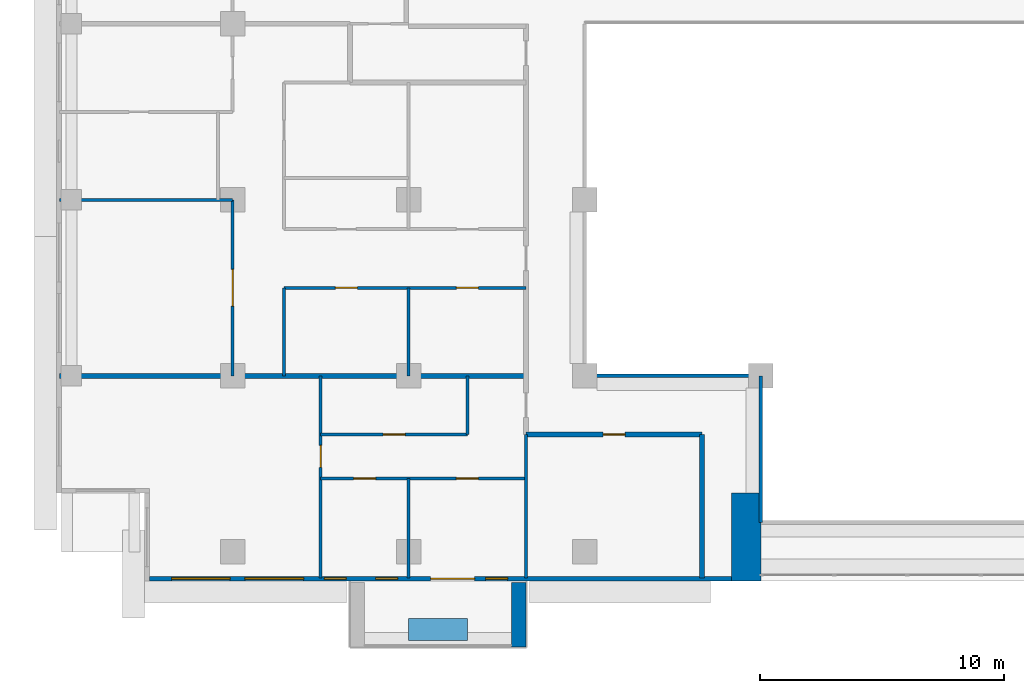
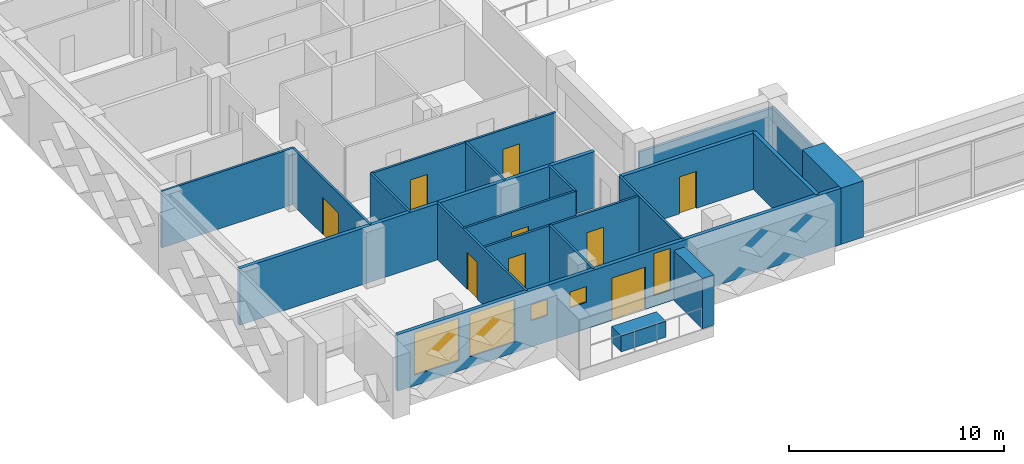
# One storey, part 6 of 20: 20 walls, 9 doors, 5 windows, 14 openings.
"""IFC4 building model written with IfcOpenShell, lengths in metres."""

import ifcopenshell
import ifcopenshell.guid

model = None  # the IFC model being written
_history = None  # IfcOwnerHistory: only IFC2X3 demands one
_inside = {}  # id of a spatial element -> (the spatial element, [elements in it])
_under = {}  # id of a project, library or spatial element -> (it, [spatial elements below it])
_declared = {}  # id of a project -> (the project, [libraries it declares])
_typed = {}  # id of a type object -> (the type object, [elements of that type])
_made_of = {}  # id of a material, layer set ... -> (it, [elements and type objects made of it])


def new_model(schema):
    """Start an empty IFC model of exactly this schema.

    Asked for "IFC4X3", IfcOpenShell would pick the latest addendum, in which some entities
    have other attributes; the version numbers below select the first issue.
    IFC2X3 requires an IfcOwnerHistory on every rooted entity: one is made here for all.
    """
    global model, _history
    if schema == "IFC4X3":
        model = ifcopenshell.file(schema_version=(4, 3, 0, 0))
    else:
        model = ifcopenshell.file(schema=schema)
    _inside.clear()
    _under.clear()
    _declared.clear()
    _typed.clear()
    _made_of.clear()
    _history = None
    if model.schema == "IFC2X3":
        org = make("IfcOrganization", Name="unknown")
        user = make(
            "IfcPersonAndOrganization",
            ThePerson=make("IfcPerson", FamilyName="unknown"),
            TheOrganization=org,
        )
        app = make(
            "IfcApplication",
            ApplicationDeveloper=org,
            Version="unknown",
            ApplicationFullName="unknown",
            ApplicationIdentifier="unknown",
        )
        _history = make(
            "IfcOwnerHistory",
            OwningUser=user,
            OwningApplication=app,
            ChangeAction="ADDED",
            CreationDate=0,
        )
    return model


def make(cls, **values):
    """One entity of the class cls with the attributes given. An attribute that is None is left unset."""
    return model.create_entity(
        cls, **{name: value for name, value in values.items() if value is not None}
    )


def rooted(cls, **values):
    """An entity with a GlobalId (a new one), such as an element, a storey or a relation."""
    return make(cls, GlobalId=ifcopenshell.guid.new(), OwnerHistory=_history, **values)


def si_unit(unit_type, name, prefix=None):
    """IfcSIUnit, for example si_unit("LENGTHUNIT", "METRE", prefix="MILLI")."""
    return make("IfcSIUnit", UnitType=unit_type, Prefix=prefix, Name=name)


def assignment(units):
    """IfcUnitAssignment: the units of a project."""
    return None if units is None else make("IfcUnitAssignment", Units=units)


def point(xyz):
    """IfcCartesianPoint."""
    return None if xyz is None else make("IfcCartesianPoint", Coordinates=xyz)


def direction(xyz):
    """IfcDirection."""
    return None if xyz is None else make("IfcDirection", DirectionRatios=xyz)


def frame(location, z_axis=None, x_axis=None):
    """IfcAxis2Placement3D, a coordinate frame: its origin and axes. An axis left out is left unset."""
    return make(
        "IfcAxis2Placement3D",
        Location=point(location),
        Axis=direction(z_axis),
        RefDirection=direction(x_axis),
    )


def frame_2d(location, x_axis=None):
    """IfcAxis2Placement2D, a coordinate frame in the plane: its origin and x axis."""
    return make(
        "IfcAxis2Placement2D", Location=point(location), RefDirection=direction(x_axis)
    )


def origin():
    """The frame at (0, 0, 0) with its axes left unset."""
    return frame((0.0, 0.0, 0.0))


def place(relative_to, where):
    """IfcLocalPlacement: puts the frame where relative to a parent placement (None: the world)."""
    return make(
        "IfcLocalPlacement", PlacementRelTo=relative_to, RelativePlacement=where
    )


def context(
    kind, dimensions, precision=None, world=None, true_north=None, identifier=None
):
    """IfcGeometricRepresentationContext, for example the 3D "Model" context."""
    return make(
        "IfcGeometricRepresentationContext",
        ContextIdentifier=identifier,
        ContextType=kind,
        CoordinateSpaceDimension=dimensions,
        Precision=precision,
        WorldCoordinateSystem=world,
        TrueNorth=true_north,
    )


def subcontext(parent, identifier, kind, view, scale=None):
    """IfcGeometricRepresentationSubContext, for example "Body" below "Model"."""
    return make(
        "IfcGeometricRepresentationSubContext",
        ContextIdentifier=identifier,
        ContextType=kind,
        ParentContext=parent,
        TargetScale=scale,
        TargetView=view,
    )


def project(units=None, contexts=None):
    """IfcProject with its units and contexts."""
    return rooted(
        "IfcProject",
        Name="project",
        RepresentationContexts=contexts,
        UnitsInContext=assignment(units),
    )


def spatial(cls, under=None, at=None, **own):
    """A site, building, storey or space (cls), placed at a placement, below another one or the project."""
    s = rooted(cls, ObjectPlacement=at, **own)
    if under is not None:
        _under.setdefault(under.id(), (under, []))[1].append(s)
    return s


def profile(cls, at=None, kind="AREA", **sizes):
    """A parametric profile (cls). Its sizes go by their IFC names, for example OverallWidth=200.0."""
    return make(cls, ProfileType=kind, Position=at, **sizes)


def rectangle(**sizes):
    """IfcRectangleProfileDef."""
    return profile("IfcRectangleProfileDef", **sizes)


def extrude(swept, where, along, depth):
    """IfcExtrudedAreaSolid: the profile swept, set in the frame where, extruded along a direction by depth."""
    return make(
        "IfcExtrudedAreaSolid",
        SweptArea=swept,
        Position=where,
        ExtrudedDirection=direction(along),
        Depth=depth,
    )


def shape(context_of_items, identifier, shape_type, items):
    """IfcShapeRepresentation: the items that make up one representation, for example the "Body"."""
    return make(
        "IfcShapeRepresentation",
        ContextOfItems=context_of_items,
        RepresentationIdentifier=identifier,
        RepresentationType=shape_type,
        Items=items,
    )


def material(Name=None, Category=None):
    """IfcMaterial."""
    return make("IfcMaterial", Name=Name, Category=Category)


def layer(
    of_material, thickness, ventilated=None, Name=None, Category=None, Priority=None
):
    """IfcMaterialLayer: one layer of a wall or slab, of a material (None: an air gap)."""
    return make(
        "IfcMaterialLayer",
        Material=of_material,
        LayerThickness=thickness,
        IsVentilated=ventilated,
        Name=Name,
        Category=Category,
        Priority=Priority,
    )


def layer_set(layers, Name=None):
    """IfcMaterialLayerSet."""
    return make("IfcMaterialLayerSet", MaterialLayers=layers, LayerSetName=Name)


def made_of(thing, what):
    """Note that an element or type object is made of a material, layer set ...; save() writes the relation."""
    if what is not None:
        _made_of.setdefault(what.id(), (what, []))[1].append(thing)
    return thing


def type_object(cls, material=None, **own):
    """A type object (cls), such as IfcWallType, which elements share."""
    return made_of(rooted(cls, **own), material)


def element(
    cls,
    number,
    at=None,
    inside=None,
    cuts=None,
    type_object=None,
    material=None,
    context=None,
    identifier="Body",
    shape_type=None,
    held_by="IfcProductDefinitionShape",
    body=None,
    shapes=None,
    **own,
):
    """One element of the class cls, such as IfcWall. Its Tag is "e" and its number.

    at: its placement. inside: the storey or other place that contains it. cuts: it is an
    opening in that element (IfcRelVoidsElement). A single representation is given by context,
    identifier, shape_type and body (its items); several are given by shapes. held_by: the class
    of the entity that holds the representations. save() writes the other relations.
    """
    e = rooted(cls, Tag="e%d" % number, ObjectPlacement=at, **own)
    if body is not None:
        shapes = [shape(context, identifier, shape_type, body)]
    if shapes is not None:
        e.Representation = make(held_by, Representations=shapes)
    if inside is not None:
        _inside.setdefault(inside.id(), (inside, []))[1].append(e)
    if cuts is not None:
        rooted(
            "IfcRelVoidsElement", RelatingBuildingElement=cuts, RelatedOpeningElement=e
        )
    if type_object is not None:
        _typed.setdefault(type_object.id(), (type_object, []))[1].append(e)
    return made_of(e, material)


def fill(opening, filler):
    """IfcRelFillsElement: the door or window that sits in an opening."""
    return rooted(
        "IfcRelFillsElement",
        RelatingOpeningElement=opening,
        RelatedBuildingElement=filler,
    )


def aggregate(whole, parts):
    """IfcRelAggregates: a whole, such as a stair, and the parts it consists of."""
    return rooted("IfcRelAggregates", RelatingObject=whole, RelatedObjects=parts)


def save(model, path):
    """Write the relations noted so far, then the file.

    IfcRelAggregates (storeys below a building ...), IfcRelContainedInSpatialStructure (elements
    in a storey), IfcRelDefinesByType, IfcRelAssociatesMaterial and IfcRelDeclares: one each for
    every whole, place, type object, material and project.
    """
    for whole, parts in _under.values():
        aggregate(whole, parts)
    for where, things in _inside.values():
        rooted(
            "IfcRelContainedInSpatialStructure",
            RelatedElements=things,
            RelatingStructure=where,
        )
    for kind, things in _typed.values():
        rooted("IfcRelDefinesByType", RelatedObjects=things, RelatingType=kind)
    for what, things in _made_of.values():
        rooted("IfcRelAssociatesMaterial", RelatedObjects=things, RelatingMaterial=what)
    for by, libraries in _declared.values():
        rooted("IfcRelDeclares", RelatingContext=by, RelatedDefinitions=libraries)
    model.write(path)


model = new_model("IFC4")

# Units and contexts
model_context = context("Model", 3, precision=1e-05, world=origin(), true_north=direction((0.0, 1.0)))
body_context = subcontext(model_context, "Body", "Model", "MODEL_VIEW")
ifc_project = project(units=[si_unit("LENGTHUNIT", "METRE"), si_unit("AREAUNIT", "SQUARE_METRE"), si_unit("VOLUMEUNIT", "CUBIC_METRE"), si_unit("PLANEANGLEUNIT", "RADIAN"), si_unit("MASSUNIT", "GRAM", prefix="KILO")], contexts=[model_context])

# Site, building, storey
site_placement = place(None, origin())
site = spatial("IfcSite", under=ifc_project, at=site_placement, CompositionType="ELEMENT")
building_placement = place(site_placement, origin())
building = spatial("IfcBuilding", under=site, at=building_placement, Name="Saffron Iwan Residences", CompositionType="ELEMENT")
storey_placement = place(building_placement, frame((0.0, 0.0, 146.5)))
storey = spatial("IfcBuildingStorey", under=building, at=storey_placement, Name="L38", CompositionType="ELEMENT", Elevation=146.5)

# Walls
ifc_material_1 = material(Name="Fire-rated glazing", Category="glass")
ifc_layer_1 = layer(ifc_material_1, 0.14990234375)
ifc_layer_set_1 = layer_set([ifc_layer_1], Name="Fire-rated glazing")
wall_type_1 = type_object("IfcWallType", Name="Atrium glazed screen 150", PredefinedType="SOLIDWALL", material=ifc_layer_set_1)
wall_1_placement = place(storey_placement, frame((36.0, 48.0, 0.0), z_axis=(0.0, 0.0, 1.0), x_axis=(1.0, 0.0, 0.0)))
element("IfcWall", 1, at=wall_1_placement, inside=storey, type_object=wall_type_1, Name="W-L38-SCREEN-h48-36", PredefinedType="SOLIDWALL", context=body_context, shape_type="SweptSolid", body=[
    extrude(rectangle(XDim=7.199951171875, YDim=0.14990234375, at=frame_2d((3.60009765625, 0.0))), origin(), (0.0, 0.0, 1.0), 2.300048828125),
])
wall_2_placement = place(storey_placement, frame((43.199951171875, 42.0, 0.0), z_axis=(0.0, 0.0, 1.0), x_axis=(0.0, 1.0, 0.0)))
element("IfcWall", 2, at=wall_2_placement, inside=storey, type_object=wall_type_1, Name="W-L38-SCREEN-v43.2-42", PredefinedType="SOLIDWALL", context=body_context, shape_type="SweptSolid", body=[
    extrude(rectangle(XDim=6.0, YDim=0.14990234375, at=frame_2d((3.0, 0.0))), origin(), (0.0, 0.0, 1.0), 2.300048828125),
])
ifc_material_2 = material(Name="Concrete C50/60 white painted", Category="concrete")
ifc_layer_2 = layer(ifc_material_2, 0.60009765625)
ifc_layer_set_2 = layer_set([ifc_layer_2], Name="Concrete C50/60 white painted")
wall_type_2 = type_object("IfcWallType", Name="BALCONY FIN 600", PredefinedType="SOLIDWALL", material=ifc_layer_set_2)
wall_3_placement = place(storey_placement, frame((33.300048828125, 39.550048828125, 0.0), z_axis=(0.0, 0.0, 1.0), x_axis=(0.0, -1.0, 0.0)))
element("IfcWall", 3, at=wall_3_placement, inside=storey, type_object=wall_type_2, Name="Balcony fin L38 11-0b", PredefinedType="SOLIDWALL", context=body_context, shape_type="SweptSolid", body=[
    extrude(rectangle(XDim=2.650146484375, YDim=0.60009765625, at=frame_2d((1.3251953125, 0.0))), origin(), (0.0, 0.0, 1.0), 2.85009765625),
])
ifc_material_3 = material(Name="Concrete C35/45 white painted", Category="concrete")
ifc_layer_3 = layer(ifc_material_3, 0.14990234375)
ifc_layer_set_3 = layer_set([ifc_layer_3], Name="Concrete C35/45 white painted")
wall_type_3 = type_object("IfcWallType", Name="BALCONY PLANTER", PredefinedType="SOLIDWALL", material=ifc_layer_set_3)
wall_4_placement = place(storey_placement, frame((28.800048828125, 37.625, 0.0), z_axis=(0.0, 0.0, 1.0), x_axis=(1.0, 0.0, 0.0)))
element("IfcWall", 4, at=wall_4_placement, inside=storey, type_object=wall_type_3, Name="PLANTER L38 11-0", PredefinedType="SOLIDWALL", context=body_context, shape_type="SweptSolid", body=[
    extrude(rectangle(XDim=2.39990234375, YDim=0.89990234375, at=frame_2d((1.199951171875, 0.0))), origin(), (0.0, 0.0, 1.0), 0.89990234375),
])

# Wall, openings, door, windows
ifc_material_4 = material(Name="Concrete C40/50", Category="concrete")
ifc_layer_4 = layer(ifc_material_4, 0.199951171875)
ifc_layer_set_4 = layer_set([ifc_layer_4], Name="Concrete C40/50")
wall_type_4 = type_object("IfcWallType", Name="EXTERNAL WALL 200", PredefinedType="SOLIDWALL", material=ifc_layer_set_4)
wall_5_placement = place(storey_placement, frame((18.199951171875, 39.699951171875, 0.0), z_axis=(0.0, 0.0, 1.0), x_axis=(1.0, 0.0, 0.0)))
wall_5 = element("IfcWall", 5, at=wall_5_placement, inside=storey, type_object=wall_type_4, Name="External wall L38 F11.0", PredefinedType="SOLIDWALL", context=body_context, shape_type="SweptSolid", body=[
    extrude(rectangle(XDim=23.800048828125, YDim=0.199951171875, at=frame_2d((11.89990234375, 0.0))), origin(), (0.0, 0.0, 1.0), 3.199951171875),
])
opening_1_placement = place(wall_5_placement, frame((11.5, 0.0, 0.0)))
opening_1 = element("IfcOpeningElement", 6, at=opening_1_placement, cuts=wall_5, Name="Opening BD1", PredefinedType="OPENING", context=body_context, shape_type="SweptSolid", body=[
    extrude(rectangle(XDim=1.800048828125, YDim=2.39990234375, at=frame_2d((0.89990234375, 1.199951171875))), frame((0.0, 0.10986328125, 0.0), z_axis=(0.0, -1.0, 0.0), x_axis=(1.0, 0.0, 0.0)), (0.0, 0.0, 1.0), 0.219970703125),
])
opening_2_placement = place(wall_5_placement, frame((0.89990234375, 0.0, 0.60009765625)))
opening_2 = element("IfcOpeningElement", 7, at=opening_2_placement, cuts=wall_5, Name="Opening W1", PredefinedType="OPENING", context=body_context, shape_type="SweptSolid", body=[
    extrude(rectangle(XDim=2.39990234375, YDim=2.39990234375, at=frame_2d((1.199951171875, 1.199951171875))), frame((0.0, 0.10986328125, 0.0), z_axis=(0.0, -1.0, 0.0), x_axis=(1.0, 0.0, 0.0)), (0.0, 0.0, 1.0), 0.219970703125),
])
opening_3_placement = place(wall_5_placement, frame((3.89990234375, 0.0, 0.60009765625)))
opening_3 = element("IfcOpeningElement", 8, at=opening_3_placement, cuts=wall_5, Name="Opening W1", PredefinedType="OPENING", context=body_context, shape_type="SweptSolid", body=[
    extrude(rectangle(XDim=2.39990234375, YDim=2.39990234375, at=frame_2d((1.199951171875, 1.199951171875))), frame((0.0, 0.10986328125, 0.0), z_axis=(0.0, -1.0, 0.0), x_axis=(1.0, 0.0, 0.0)), (0.0, 0.0, 1.0), 0.219970703125),
])
opening_4_placement = place(wall_5_placement, frame((7.14990234375, 0.0, 1.5)))
opening_4 = element("IfcOpeningElement", 9, at=opening_4_placement, cuts=wall_5, Name="Opening W6", PredefinedType="OPENING", context=body_context, shape_type="SweptSolid", body=[
    extrude(rectangle(XDim=0.89990234375, YDim=0.89990234375, at=frame_2d((0.449951171875, 0.449951171875))), frame((0.0, 0.10986328125, 0.0), z_axis=(0.0, -1.0, 0.0), x_axis=(1.0, 0.0, 0.0)), (0.0, 0.0, 1.0), 0.219970703125),
])
opening_5_placement = place(wall_5_placement, frame((9.25, 0.0, 1.5)))
opening_5 = element("IfcOpeningElement", 10, at=opening_5_placement, cuts=wall_5, Name="Opening W6", PredefinedType="OPENING", context=body_context, shape_type="SweptSolid", body=[
    extrude(rectangle(XDim=0.89990234375, YDim=0.89990234375, at=frame_2d((0.449951171875, 0.449951171875))), frame((0.0, 0.10986328125, 0.0), z_axis=(0.0, -1.0, 0.0), x_axis=(1.0, 0.0, 0.0)), (0.0, 0.0, 1.0), 0.219970703125),
])
opening_6_placement = place(wall_5_placement, frame((13.75, 0.0, 0.60009765625)))
opening_6 = element("IfcOpeningElement", 11, at=opening_6_placement, cuts=wall_5, Name="Opening W10", PredefinedType="OPENING", context=body_context, shape_type="SweptSolid", body=[
    extrude(rectangle(XDim=0.89990234375, YDim=2.39990234375, at=frame_2d((0.449951171875, 1.199951171875))), frame((0.0, 0.10986328125, 0.0), z_axis=(0.0, -1.0, 0.0), x_axis=(1.0, 0.0, 0.0)), (0.0, 0.0, 1.0), 0.219970703125),
])
ifc_material_5 = material(Name="Clear glass, laminated double glazed", Category="glass")
door_type_1 = type_object("IfcDoorType", Name="BALCONY DOOR 1800 x 2400", OperationType="DOUBLE_DOOR_SLIDING", PredefinedType="DOOR", material=ifc_material_5)
door_1_placement = place(opening_1_placement, origin())
door_1 = element("IfcDoor", 12, at=door_1_placement, inside=storey, type_object=door_type_1, Name="Balcony door L38 F11.0", OperationType="DOUBLE_DOOR_SLIDING", OverallHeight=2.39990234375, OverallWidth=1.800048828125, PredefinedType="DOOR", context=body_context, shape_type="SweptSolid", body=[
    extrude(rectangle(XDim=1.800048828125, YDim=2.39990234375, at=frame_2d((0.89990234375, 1.199951171875))), frame((0.0, 0.02490234375, 0.0), z_axis=(0.0, -1.0, 0.0), x_axis=(1.0, 0.0, 0.0)), (0.0, 0.0, 1.0), 0.050048828125),
])
fill(opening_1, door_1)
window_type_1 = type_object("IfcWindowType", Name="WINDOW 2400 x 2400", PartitioningType="DOUBLE_PANEL_VERTICAL", PredefinedType="WINDOW", material=ifc_material_5)
window_1_placement = place(opening_2_placement, origin())
window_1 = element("IfcWindow", 13, at=window_1_placement, inside=storey, type_object=window_type_1, Name="Window L38 F11.1", OverallHeight=2.39990234375, OverallWidth=2.39990234375, PartitioningType="DOUBLE_PANEL_VERTICAL", PredefinedType="WINDOW", context=body_context, shape_type="SweptSolid", body=[
    extrude(rectangle(XDim=2.39990234375, YDim=2.39990234375, at=frame_2d((1.199951171875, 1.199951171875))), frame((0.0, 0.030029296875, 0.0), z_axis=(0.0, -1.0, 0.0), x_axis=(1.0, 0.0, 0.0)), (0.0, 0.0, 1.0), 0.06005859375),
])
fill(opening_2, window_1)
window_2_placement = place(opening_3_placement, origin())
window_2 = element("IfcWindow", 14, at=window_2_placement, inside=storey, type_object=window_type_1, Name="Window L38 F11.2", OverallHeight=2.39990234375, OverallWidth=2.39990234375, PartitioningType="DOUBLE_PANEL_VERTICAL", PredefinedType="WINDOW", context=body_context, shape_type="SweptSolid", body=[
    extrude(rectangle(XDim=2.39990234375, YDim=2.39990234375, at=frame_2d((1.199951171875, 1.199951171875))), frame((0.0, 0.030029296875, 0.0), z_axis=(0.0, -1.0, 0.0), x_axis=(1.0, 0.0, 0.0)), (0.0, 0.0, 1.0), 0.06005859375),
])
fill(opening_3, window_2)
window_type_2 = type_object("IfcWindowType", Name="WINDOW 900 x 2400", PartitioningType="SINGLE_PANEL", PredefinedType="WINDOW", material=ifc_material_5)
window_3_placement = place(opening_6_placement, origin())
window_3 = element("IfcWindow", 15, at=window_3_placement, inside=storey, type_object=window_type_2, Name="Window L38 F11.5", OverallHeight=2.39990234375, OverallWidth=0.89990234375, PartitioningType="SINGLE_PANEL", PredefinedType="WINDOW", context=body_context, shape_type="SweptSolid", body=[
    extrude(rectangle(XDim=0.89990234375, YDim=2.39990234375, at=frame_2d((0.449951171875, 1.199951171875))), frame((0.0, 0.030029296875, 0.0), z_axis=(0.0, -1.0, 0.0), x_axis=(1.0, 0.0, 0.0)), (0.0, 0.0, 1.0), 0.06005859375),
])
fill(opening_6, window_3)
window_type_3 = type_object("IfcWindowType", Name="WINDOW 900 x 900 BATH", PartitioningType="SINGLE_PANEL", PredefinedType="WINDOW", material=ifc_material_5)
window_4_placement = place(opening_4_placement, origin())
window_4 = element("IfcWindow", 16, at=window_4_placement, inside=storey, type_object=window_type_3, Name="Window L38 F11.3", OverallHeight=0.89990234375, OverallWidth=0.89990234375, PartitioningType="SINGLE_PANEL", PredefinedType="WINDOW", context=body_context, shape_type="SweptSolid", body=[
    extrude(rectangle(XDim=0.89990234375, YDim=0.89990234375, at=frame_2d((0.449951171875, 0.449951171875))), frame((0.0, 0.030029296875, 0.0), z_axis=(0.0, -1.0, 0.0), x_axis=(1.0, 0.0, 0.0)), (0.0, 0.0, 1.0), 0.06005859375),
])
fill(opening_4, window_4)
window_5_placement = place(opening_5_placement, origin())
window_5 = element("IfcWindow", 17, at=window_5_placement, inside=storey, type_object=window_type_3, Name="Window L38 F11.4", OverallHeight=0.89990234375, OverallWidth=0.89990234375, PartitioningType="SINGLE_PANEL", PredefinedType="WINDOW", context=body_context, shape_type="SweptSolid", body=[
    extrude(rectangle(XDim=0.89990234375, YDim=0.89990234375, at=frame_2d((0.449951171875, 0.449951171875))), frame((0.0, 0.030029296875, 0.0), z_axis=(0.0, -1.0, 0.0), x_axis=(1.0, 0.0, 0.0)), (0.0, 0.0, 1.0), 0.06005859375),
])
fill(opening_5, window_5)

# Wall
ifc_material_6 = material(Name="Fire-rated gypsum board wall")
ifc_layer_5 = layer(ifc_material_6, 0.199951171875)
ifc_layer_set_5 = layer_set([ifc_layer_5], Name="Fire-rated gypsum board wall")
wall_type_5 = type_object("IfcWallType", Name="Flat demising wall 200", PredefinedType="SOLIDWALL", material=ifc_layer_set_5)
wall_6_placement = place(storey_placement, frame((14.52490234375, 48.0, 0.0), z_axis=(0.0, 0.0, 1.0), x_axis=(1.0, 0.0, 0.0)))
element("IfcWall", 18, at=wall_6_placement, inside=storey, type_object=wall_type_5, Name="W-L38-DEMISE-h48-14.525", PredefinedType="SOLIDWALL", context=body_context, shape_type="SweptSolid", body=[
    extrude(rectangle(XDim=19.0751953125, YDim=0.199951171875, at=frame_2d((9.53759765625, 0.0))), origin(), (0.0, 0.0, 1.0), 3.199951171875),
])

# Wall, openings, doors
ifc_material_7 = material(Name="Gypsum board partition")
ifc_layer_6 = layer(ifc_material_7, 0.1201171875)
ifc_layer_set_6 = layer_set([ifc_layer_6], Name="Gypsum board partition")
wall_type_6 = type_object("IfcWallType", Name="Flat partition 120", PredefinedType="PARTITIONING", material=ifc_layer_set_6)
wall_7_placement = place(storey_placement, frame((25.199951171875, 43.800048828125, 0.0), z_axis=(0.0, 0.0, 1.0), x_axis=(1.0, 0.0, 0.0)))
wall_7 = element("IfcWall", 19, at=wall_7_placement, inside=storey, type_object=wall_type_6, Name="W-L38-PART-h43.8-25.2", PredefinedType="PARTITIONING", context=body_context, shape_type="SweptSolid", body=[
    extrude(rectangle(XDim=8.400146484375, YDim=0.1201171875, at=frame_2d((4.2001953125, 0.0))), origin(), (0.0, 0.0, 1.0), 3.199951171875),
])
opening_7_placement = place(wall_7_placement, frame((1.35009765625, 0.0, 0.0)))
opening_7 = element("IfcOpeningElement", 20, at=opening_7_placement, cuts=wall_7, Name="Opening FD2", PredefinedType="OPENING", context=body_context, shape_type="SweptSolid", body=[
    extrude(rectangle(XDim=0.89990234375, YDim=2.10009765625, at=frame_2d((0.449951171875, 1.050048828125))), frame((0.0, 0.070068359375, 0.0), z_axis=(0.0, -1.0, 0.0), x_axis=(1.0, 0.0, 0.0)), (0.0, 0.0, 1.0), 0.14013671875),
])
opening_8_placement = place(wall_7_placement, frame((5.550048828125, 0.0, 0.0)))
opening_8 = element("IfcOpeningElement", 21, at=opening_8_placement, cuts=wall_7, Name="Opening FD2", PredefinedType="OPENING", context=body_context, shape_type="SweptSolid", body=[
    extrude(rectangle(XDim=0.89990234375, YDim=2.10009765625, at=frame_2d((0.449951171875, 1.050048828125))), frame((0.0, 0.070068359375, 0.0), z_axis=(0.0, -1.0, 0.0), x_axis=(1.0, 0.0, 0.0)), (0.0, 0.0, 1.0), 0.14013671875),
])
ifc_material_8 = material(Name="Timber door", Category="wood")
door_type_2 = type_object("IfcDoorType", Name="Flat door 900", OperationType="NOTDEFINED", PredefinedType="DOOR", material=ifc_material_8)
door_2_placement = place(opening_7_placement, origin())
door_2 = element("IfcDoor", 22, at=door_2_placement, inside=storey, type_object=door_type_2, Name="Door L38-003", OperationType="SINGLE_SWING_LEFT", OverallHeight=2.10009765625, OverallWidth=0.89990234375, PredefinedType="DOOR", context=body_context, shape_type="SweptSolid", body=[
    extrude(rectangle(XDim=0.89990234375, YDim=2.10009765625, at=frame_2d((0.449951171875, 1.050048828125))), frame((0.0, 0.02490234375, 0.0), z_axis=(0.0, -1.0, 0.0), x_axis=(1.0, 0.0, 0.0)), (0.0, 0.0, 1.0), 0.050048828125),
])
fill(opening_7, door_2)
door_3_placement = place(opening_8_placement, origin())
door_3 = element("IfcDoor", 23, at=door_3_placement, inside=storey, type_object=door_type_2, Name="Door L38-004", OperationType="SINGLE_SWING_LEFT", OverallHeight=2.10009765625, OverallWidth=0.89990234375, PredefinedType="DOOR", context=body_context, shape_type="SweptSolid", body=[
    extrude(rectangle(XDim=0.89990234375, YDim=2.10009765625, at=frame_2d((0.449951171875, 1.050048828125))), frame((0.0, 0.02490234375, 0.0), z_axis=(0.0, -1.0, 0.0), x_axis=(1.0, 0.0, 0.0)), (0.0, 0.0, 1.0), 0.050048828125),
])
fill(opening_8, door_3)

# Wall, opening, door
wall_8_placement = place(storey_placement, frame((25.199951171875, 45.60009765625, 0.0), z_axis=(0.0, 0.0, 1.0), x_axis=(1.0, 0.0, 0.0)))
wall_8 = element("IfcWall", 24, at=wall_8_placement, inside=storey, type_object=wall_type_6, Name="W-L38-PART-h45.6-25.2", PredefinedType="PARTITIONING", context=body_context, shape_type="SweptSolid", body=[
    extrude(rectangle(XDim=6.0, YDim=0.1201171875, at=frame_2d((3.0, 0.0))), origin(), (0.0, 0.0, 1.0), 3.199951171875),
])
opening_9_placement = place(wall_8_placement, frame((2.550048828125, 0.0, 0.0)))
opening_9 = element("IfcOpeningElement", 25, at=opening_9_placement, cuts=wall_8, Name="Opening FD2", PredefinedType="OPENING", context=body_context, shape_type="SweptSolid", body=[
    extrude(rectangle(XDim=0.89990234375, YDim=2.10009765625, at=frame_2d((0.449951171875, 1.050048828125))), frame((0.0, 0.070068359375, 0.0), z_axis=(0.0, -1.0, 0.0), x_axis=(1.0, 0.0, 0.0)), (0.0, 0.0, 1.0), 0.14013671875),
])
door_4_placement = place(opening_9_placement, origin())
door_4 = element("IfcDoor", 26, at=door_4_placement, inside=storey, type_object=door_type_2, Name="Door L38-005", OperationType="SINGLE_SWING_RIGHT", OverallHeight=2.10009765625, OverallWidth=0.89990234375, PredefinedType="DOOR", context=body_context, shape_type="SweptSolid", body=[
    extrude(rectangle(XDim=0.89990234375, YDim=2.10009765625, at=frame_2d((0.449951171875, 1.050048828125))), frame((0.0, 0.02490234375, 0.0), z_axis=(0.0, -1.0, 0.0), x_axis=(1.0, 0.0, 0.0)), (0.0, 0.0, 1.0), 0.050048828125),
])
fill(opening_9, door_4)

# Wall, openings, doors
wall_9_placement = place(storey_placement, frame((23.699951171875, 51.60009765625, 0.0), z_axis=(0.0, 0.0, 1.0), x_axis=(1.0, 0.0, 0.0)))
wall_9 = element("IfcWall", 27, at=wall_9_placement, inside=storey, type_object=wall_type_6, Name="W-L38-PART-h51.6-23.7", PredefinedType="PARTITIONING", context=body_context, shape_type="SweptSolid", body=[
    extrude(rectangle(XDim=9.900146484375, YDim=0.1201171875, at=frame_2d((4.9501953125, 0.0))), origin(), (0.0, 0.0, 1.0), 3.199951171875),
])
opening_10_placement = place(wall_9_placement, frame((2.10009765625, 0.0, 0.0)))
opening_10 = element("IfcOpeningElement", 28, at=opening_10_placement, cuts=wall_9, Name="Opening FD2", PredefinedType="OPENING", context=body_context, shape_type="SweptSolid", body=[
    extrude(rectangle(XDim=0.89990234375, YDim=2.10009765625, at=frame_2d((0.449951171875, 1.050048828125))), frame((0.0, 0.070068359375, 0.0), z_axis=(0.0, -1.0, 0.0), x_axis=(1.0, 0.0, 0.0)), (0.0, 0.0, 1.0), 0.14013671875),
])
opening_11_placement = place(wall_9_placement, frame((7.050048828125, 0.0, 0.0)))
opening_11 = element("IfcOpeningElement", 29, at=opening_11_placement, cuts=wall_9, Name="Opening FD2", PredefinedType="OPENING", context=body_context, shape_type="SweptSolid", body=[
    extrude(rectangle(XDim=0.89990234375, YDim=2.10009765625, at=frame_2d((0.449951171875, 1.050048828125))), frame((0.0, 0.070068359375, 0.0), z_axis=(0.0, -1.0, 0.0), x_axis=(1.0, 0.0, 0.0)), (0.0, 0.0, 1.0), 0.14013671875),
])
door_5_placement = place(opening_10_placement, origin())
door_5 = element("IfcDoor", 30, at=door_5_placement, inside=storey, type_object=door_type_2, Name="Door L38-011", OperationType="SINGLE_SWING_RIGHT", OverallHeight=2.10009765625, OverallWidth=0.89990234375, PredefinedType="DOOR", context=body_context, shape_type="SweptSolid", body=[
    extrude(rectangle(XDim=0.89990234375, YDim=2.10009765625, at=frame_2d((0.449951171875, 1.050048828125))), frame((0.0, 0.02490234375, 0.0), z_axis=(0.0, -1.0, 0.0), x_axis=(1.0, 0.0, 0.0)), (0.0, 0.0, 1.0), 0.050048828125),
])
fill(opening_10, door_5)
door_6_placement = place(opening_11_placement, origin())
door_6 = element("IfcDoor", 31, at=door_6_placement, inside=storey, type_object=door_type_2, Name="Door L38-014", OperationType="SINGLE_SWING_RIGHT", OverallHeight=2.10009765625, OverallWidth=0.89990234375, PredefinedType="DOOR", context=body_context, shape_type="SweptSolid", body=[
    extrude(rectangle(XDim=0.89990234375, YDim=2.10009765625, at=frame_2d((0.449951171875, 1.050048828125))), frame((0.0, 0.02490234375, 0.0), z_axis=(0.0, -1.0, 0.0), x_axis=(1.0, 0.0, 0.0)), (0.0, 0.0, 1.0), 0.050048828125),
])
fill(opening_11, door_6)

# Wall
wall_10_placement = place(storey_placement, frame((14.52490234375, 55.199951171875, 0.0), z_axis=(0.0, 0.0, 1.0), x_axis=(1.0, 0.0, 0.0)))
element("IfcWall", 32, at=wall_10_placement, inside=storey, type_object=wall_type_6, Name="W-L38-PART-h55.2-14.525", PredefinedType="PARTITIONING", context=body_context, shape_type="SweptSolid", body=[
    extrude(rectangle(XDim=7.0751953125, YDim=0.1201171875, at=frame_2d((3.53759765625, 0.0))), origin(), (0.0, 0.0, 1.0), 3.199951171875),
])

# Wall, opening, door
wall_11_placement = place(storey_placement, frame((21.60009765625, 48.0, 0.0), z_axis=(0.0, 0.0, 1.0), x_axis=(0.0, 1.0, 0.0)))
wall_11 = element("IfcWall", 33, at=wall_11_placement, inside=storey, type_object=wall_type_6, Name="W-L38-PART-v21.6-48", PredefinedType="PARTITIONING", context=body_context, shape_type="SweptSolid", body=[
    extrude(rectangle(XDim=7.199951171875, YDim=0.1201171875, at=frame_2d((3.60009765625, 0.0))), origin(), (0.0, 0.0, 1.0), 3.199951171875),
])
opening_12_placement = place(wall_11_placement, frame((2.85009765625, 0.0, 0.0)))
opening_12 = element("IfcOpeningElement", 34, at=opening_12_placement, cuts=wall_11, Name="Opening FD4", PredefinedType="OPENING", context=body_context, shape_type="SweptSolid", body=[
    extrude(rectangle(XDim=1.5, YDim=2.10009765625, at=frame_2d((0.75, 1.050048828125))), frame((0.0, 0.070068359375, 0.0), z_axis=(0.0, -1.0, 0.0), x_axis=(1.0, 0.0, 0.0)), (0.0, 0.0, 1.0), 0.14013671875),
])
door_type_3 = type_object("IfcDoorType", Name="Double door 1500", OperationType="NOTDEFINED", PredefinedType="DOOR", material=ifc_material_8)
door_7_placement = place(opening_12_placement, origin())
door_7 = element("IfcDoor", 35, at=door_7_placement, inside=storey, type_object=door_type_3, Name="Door L38-008", OperationType="SINGLE_SWING_RIGHT", OverallHeight=2.10009765625, OverallWidth=1.5, PredefinedType="DOOR", context=body_context, shape_type="SweptSolid", body=[
    extrude(rectangle(XDim=1.5, YDim=2.10009765625, at=frame_2d((0.75, 1.050048828125))), frame((0.0, 0.02490234375, 0.0), z_axis=(0.0, -1.0, 0.0), x_axis=(1.0, 0.0, 0.0)), (0.0, 0.0, 1.0), 0.050048828125),
])
fill(opening_12, door_7)

# Wall
wall_12_placement = place(storey_placement, frame((23.699951171875, 48.0, 0.0), z_axis=(0.0, 0.0, 1.0), x_axis=(0.0, 1.0, 0.0)))
element("IfcWall", 36, at=wall_12_placement, inside=storey, type_object=wall_type_6, Name="W-L38-PART-v23.7-48", PredefinedType="PARTITIONING", context=body_context, shape_type="SweptSolid", body=[
    extrude(rectangle(XDim=3.60009765625, YDim=0.1201171875, at=frame_2d((1.800048828125, 0.0))), origin(), (0.0, 0.0, 1.0), 3.199951171875),
])

# Wall, opening, door
wall_13_placement = place(storey_placement, frame((25.199951171875, 39.72509765625, 0.0), z_axis=(0.0, 0.0, 1.0), x_axis=(0.0, 1.0, 0.0)))
wall_13 = element("IfcWall", 37, at=wall_13_placement, inside=storey, type_object=wall_type_6, Name="W-L38-PART-v25.2-39.725", PredefinedType="PARTITIONING", context=body_context, shape_type="SweptSolid", body=[
    extrude(rectangle(XDim=8.27490234375, YDim=0.1201171875, at=frame_2d((4.137451171875, 0.0))), origin(), (0.0, 0.0, 1.0), 3.199951171875),
])
opening_13_placement = place(wall_13_placement, frame((4.52490234375, 0.0, 0.0)))
opening_13 = element("IfcOpeningElement", 38, at=opening_13_placement, cuts=wall_13, Name="Opening FD2", PredefinedType="OPENING", context=body_context, shape_type="SweptSolid", body=[
    extrude(rectangle(XDim=0.89990234375, YDim=2.10009765625, at=frame_2d((0.449951171875, 1.050048828125))), frame((0.0, 0.070068359375, 0.0), z_axis=(0.0, -1.0, 0.0), x_axis=(1.0, 0.0, 0.0)), (0.0, 0.0, 1.0), 0.14013671875),
])
door_8_placement = place(opening_13_placement, origin())
door_8 = element("IfcDoor", 39, at=door_8_placement, inside=storey, type_object=door_type_2, Name="Door L38-002", OperationType="SINGLE_SWING_RIGHT", OverallHeight=2.10009765625, OverallWidth=0.89990234375, PredefinedType="DOOR", context=body_context, shape_type="SweptSolid", body=[
    extrude(rectangle(XDim=0.89990234375, YDim=2.10009765625, at=frame_2d((0.449951171875, 1.050048828125))), frame((0.0, 0.02490234375, 0.0), z_axis=(0.0, -1.0, 0.0), x_axis=(1.0, 0.0, 0.0)), (0.0, 0.0, 1.0), 0.050048828125),
])
fill(opening_13, door_8)

# Walls
wall_14_placement = place(storey_placement, frame((28.800048828125, 39.72509765625, 0.0), z_axis=(0.0, 0.0, 1.0), x_axis=(0.0, 1.0, 0.0)))
element("IfcWall", 40, at=wall_14_placement, inside=storey, type_object=wall_type_6, Name="W-L38-PART-v28.8-39.725", PredefinedType="PARTITIONING", context=body_context, shape_type="SweptSolid", body=[
    extrude(rectangle(XDim=4.074951171875, YDim=0.1201171875, at=frame_2d((2.03759765625, 0.0))), origin(), (0.0, 0.0, 1.0), 3.199951171875),
])
wall_15_placement = place(storey_placement, frame((28.800048828125, 48.0, 0.0), z_axis=(0.0, 0.0, 1.0), x_axis=(0.0, 1.0, 0.0)))
element("IfcWall", 41, at=wall_15_placement, inside=storey, type_object=wall_type_6, Name="W-L38-PART-v28.8-48", PredefinedType="PARTITIONING", context=body_context, shape_type="SweptSolid", body=[
    extrude(rectangle(XDim=3.60009765625, YDim=0.1201171875, at=frame_2d((1.800048828125, 0.0))), origin(), (0.0, 0.0, 1.0), 3.199951171875),
])
wall_16_placement = place(storey_placement, frame((31.199951171875, 45.60009765625, 0.0), z_axis=(0.0, 0.0, 1.0), x_axis=(0.0, 1.0, 0.0)))
element("IfcWall", 42, at=wall_16_placement, inside=storey, type_object=wall_type_6, Name="W-L38-PART-v31.2-45.6", PredefinedType="PARTITIONING", context=body_context, shape_type="SweptSolid", body=[
    extrude(rectangle(XDim=2.39990234375, YDim=0.1201171875, at=frame_2d((1.199951171875, 0.0))), origin(), (0.0, 0.0, 1.0), 3.199951171875),
])
wall_17_placement = place(storey_placement, frame((33.60009765625, 39.72509765625, 0.0), z_axis=(0.0, 0.0, 1.0), x_axis=(0.0, 1.0, 0.0)))
element("IfcWall", 43, at=wall_17_placement, inside=storey, type_object=wall_type_6, Name="W-L38-PART-v33.6-39.725", PredefinedType="PARTITIONING", context=body_context, shape_type="SweptSolid", body=[
    extrude(rectangle(XDim=5.875, YDim=0.1201171875, at=frame_2d((2.9375, 0.0))), origin(), (0.0, 0.0, 1.0), 3.199951171875),
])

# Wall, opening, door
ifc_layer_7 = layer(ifc_material_6, 0.199951171875)
ifc_layer_set_7 = layer_set([ifc_layer_7], Name="Fire-rated gypsum board wall")
wall_type_7 = type_object("IfcWallType", Name="Gallery wall 200", PredefinedType="SOLIDWALL", material=ifc_layer_set_7)
wall_18_placement = place(storey_placement, frame((33.60009765625, 45.60009765625, 0.0), z_axis=(0.0, 0.0, 1.0), x_axis=(1.0, 0.0, 0.0)))
wall_18 = element("IfcWall", 44, at=wall_18_placement, inside=storey, type_object=wall_type_7, Name="W-L38-CORR-h45.6-33.6", PredefinedType="SOLIDWALL", context=body_context, shape_type="SweptSolid", body=[
    extrude(rectangle(XDim=7.199951171875, YDim=0.199951171875, at=frame_2d((3.60009765625, 0.0))), origin(), (0.0, 0.0, 1.0), 3.199951171875),
])
opening_14_placement = place(wall_18_placement, frame((3.14990234375, 0.0, 0.0)))
opening_14 = element("IfcOpeningElement", 45, at=opening_14_placement, cuts=wall_18, Name="Opening FD2", PredefinedType="OPENING", context=body_context, shape_type="SweptSolid", body=[
    extrude(rectangle(XDim=0.89990234375, YDim=2.10009765625, at=frame_2d((0.449951171875, 1.050048828125))), frame((0.0, 0.10986328125, 0.0), z_axis=(0.0, -1.0, 0.0), x_axis=(1.0, 0.0, 0.0)), (0.0, 0.0, 1.0), 0.219970703125),
])
door_9_placement = place(opening_14_placement, origin())
door_9 = element("IfcDoor", 46, at=door_9_placement, inside=storey, type_object=door_type_2, Name="Door L38-006", OperationType="SINGLE_SWING_LEFT", OverallHeight=2.10009765625, OverallWidth=0.89990234375, PredefinedType="DOOR", context=body_context, shape_type="SweptSolid", body=[
    extrude(rectangle(XDim=0.89990234375, YDim=2.10009765625, at=frame_2d((0.449951171875, 1.050048828125))), frame((0.0, 0.02490234375, 0.0), z_axis=(0.0, -1.0, 0.0), x_axis=(1.0, 0.0, 0.0)), (0.0, 0.0, 1.0), 0.050048828125),
])
fill(opening_14, door_9)

# Walls
wall_19_placement = place(storey_placement, frame((40.800048828125, 39.72509765625, 0.0), z_axis=(0.0, 0.0, 1.0), x_axis=(0.0, 1.0, 0.0)))
element("IfcWall", 47, at=wall_19_placement, inside=storey, type_object=wall_type_7, Name="W-L38-CORR-v40.8-39.725", PredefinedType="SOLIDWALL", context=body_context, shape_type="SweptSolid", body=[
    extrude(rectangle(XDim=5.875, YDim=0.199951171875, at=frame_2d((2.9375, 0.0))), origin(), (0.0, 0.0, 1.0), 3.199951171875),
])
ifc_material_9 = material(Name="Concrete C50/60", Category="concrete")
ifc_layer_8 = layer(ifc_material_9, 1.199951171875)
ifc_layer_set_8 = layer_set([ifc_layer_8], Name="Concrete C50/60")
wall_type_8 = type_object("IfcWallType", Name="WALL IWAN PIER 1200 C50/60 3200 HIGH", PredefinedType="SHEAR", material=ifc_layer_set_8)
wall_20_placement = place(storey_placement, frame((42.60009765625, 39.60009765625, 0.0), z_axis=(0.0, 0.0, 1.0), x_axis=(0.0, 1.0, 0.0)))
element("IfcWall", 48, at=wall_20_placement, inside=storey, type_object=wall_type_8, Name="IWAN PIER", PredefinedType="SHEAR", context=body_context, shape_type="SweptSolid", body=[
    extrude(rectangle(XDim=3.599853515625, YDim=1.199951171875, at=frame_2d((1.7998046875, 0.0))), origin(), (0.0, 0.0, 1.0), 3.199951171875),
])

save(model, "model.ifc")
